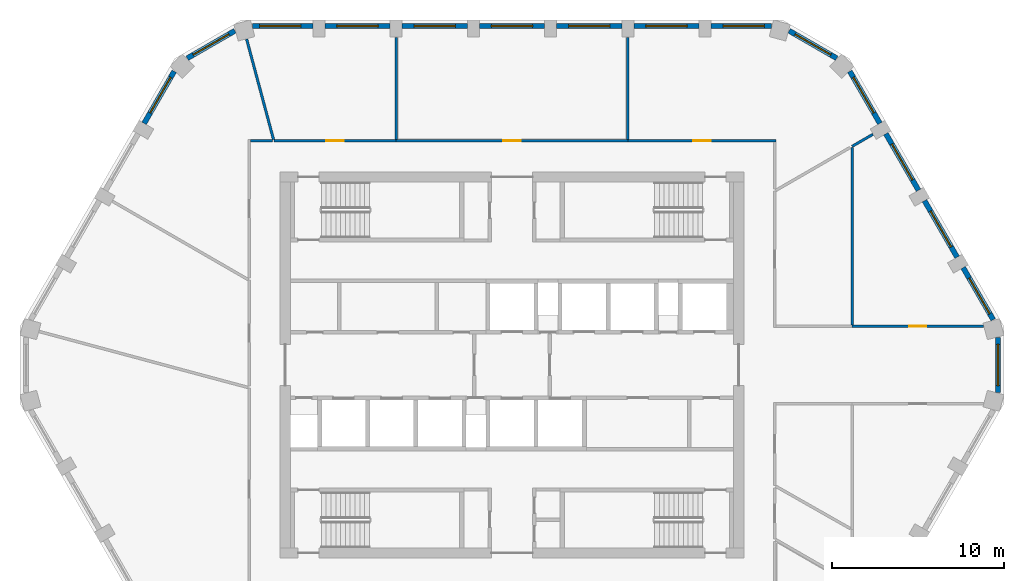
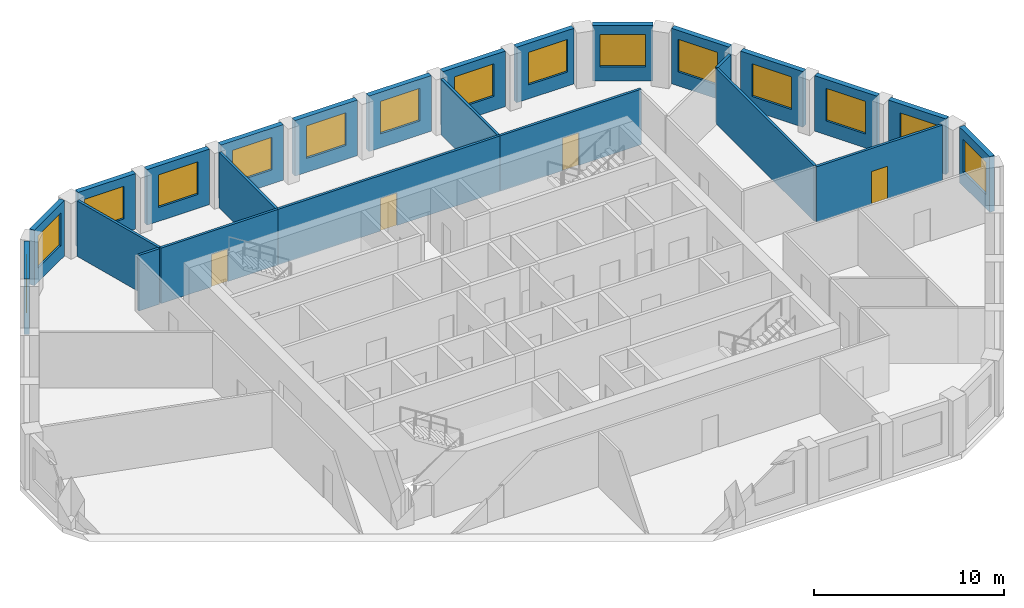
# One storey, part 6 of 10: 25 walls, 15 windows, 4 doors, 19 openings.
"""IFC4 building model written with IfcOpenShell, lengths in metres."""

from ifc_helpers import new_model, si_unit, direction, frame, frame_2d, origin, place, context, subcontext, project, spatial, rectangle, extrude, material, layer, layer_set, type_object, element, fill, save


model = new_model("IFC4")

# Units and contexts
model_context = context("Model", 3, precision=1e-05, world=origin(), true_north=direction((0.0, 1.0)))
body_context = subcontext(model_context, "Body", "Model", "MODEL_VIEW")
ifc_project = project(units=[si_unit("LENGTHUNIT", "METRE"), si_unit("AREAUNIT", "SQUARE_METRE"), si_unit("VOLUMEUNIT", "CUBIC_METRE"), si_unit("PLANEANGLEUNIT", "RADIAN"), si_unit("MASSUNIT", "GRAM", prefix="KILO")], contexts=[model_context])

# Site, building, storey
site_placement = place(None, origin())
site = spatial("IfcSite", under=ifc_project, at=site_placement, CompositionType="ELEMENT")
building_placement = place(site_placement, origin())
building = spatial("IfcBuilding", under=site, at=building_placement, Name="Dhurran Vertical Campus", CompositionType="ELEMENT")
storey_placement = place(building_placement, frame((0.0, 0.0, 254.699951171875)))
storey = spatial("IfcBuildingStorey", under=building, at=storey_placement, Name="L63", CompositionType="ELEMENT", Elevation=254.699951171875)

# Wall, opening, window
ifc_material_1 = material(Name="Precast concrete C50/60", Category="concrete")
ifc_layer_1 = layer(ifc_material_1, 0.300048828125)
ifc_layer_set_1 = layer_set([ifc_layer_1], Name="Precast concrete C50/60")
wall_type_1 = type_object("IfcWallType", Name="Precast spandrel wall 300", PredefinedType="SOLIDWALL", material=ifc_layer_set_1)
wall_1_placement = place(storey_placement, frame((28.297119140625, -1.59814453125, 0.0), z_axis=(0.0, 0.0, 1.0), x_axis=(0.0, 1.0, 0.0)))
wall_1 = element("IfcWall", 1, at=wall_1_placement, inside=storey, type_object=wall_type_1, Name="EW1 L63.12", PredefinedType="SOLIDWALL", context=body_context, shape_type="SweptSolid", body=[
    extrude(rectangle(XDim=3.1962890625, YDim=0.300048828125, at=frame_2d((1.59814453125, 0.0))), origin(), (0.0, 0.0, 1.0), 3.574951171875),
])
opening_1_placement = place(wall_1_placement, frame((0.398193359375, 0.0, 0.89990234375)))
opening_1 = element("IfcOpeningElement", 2, at=opening_1_placement, cuts=wall_1, Name="Opening WT1", PredefinedType="OPENING", context=body_context, shape_type="SweptSolid", body=[
    extrude(rectangle(XDim=2.39990234375, YDim=2.10009765625, at=frame_2d((1.199951171875, 1.050048828125))), frame((0.0, 0.159912109375, 0.0), z_axis=(0.0, -1.0, 0.0), x_axis=(1.0, 0.0, 0.0)), (0.0, 0.0, 1.0), 0.320068359375),
])
ifc_material_2 = material(Name="Aluminium frame with solar-control glass", Category="aluminium")
window_type = type_object("IfcWindowType", Name="Punched window 2400 x 2100", PartitioningType="SINGLE_PANEL", PredefinedType="WINDOW", material=ifc_material_2)
window_1_placement = place(opening_1_placement, origin())
window_1 = element("IfcWindow", 3, at=window_1_placement, inside=storey, type_object=window_type, Name="WT1 L63.12", OverallHeight=2.10009765625, OverallWidth=2.39990234375, PartitioningType="SINGLE_PANEL", PredefinedType="WINDOW", context=body_context, shape_type="SweptSolid", body=[
    extrude(rectangle(XDim=2.39990234375, YDim=2.10009765625, at=frame_2d((1.199951171875, 1.050048828125))), frame((0.0, 0.030029296875, 0.0), z_axis=(0.0, -1.0, 0.0), x_axis=(1.0, 0.0, 0.0)), (0.0, 0.0, 1.0), 0.06005859375),
])
fill(opening_1, window_1)

wall_2_placement = place(storey_placement, frame((28.01806640625, 2.6396484375, 0.0), z_axis=(0.0, 0.0, 1.0), x_axis=(-0.499990325971, 0.866030989016, 0.0)))
wall_2 = element("IfcWall", 4, at=wall_2_placement, inside=storey, type_object=wall_type_1, Name="EW1 L63.13", PredefinedType="SOLIDWALL", context=body_context, shape_type="SweptSolid", body=[
    extrude(rectangle(XDim=3.49755859375, YDim=0.300048828125, at=frame_2d((1.748779296875, 0.0))), origin(), (0.0, 0.0, 1.0), 3.574951171875),
])
opening_2_placement = place(wall_2_placement, frame((0.398193359375, 0.0, 0.89990234375)))
opening_2 = element("IfcOpeningElement", 5, at=opening_2_placement, cuts=wall_2, Name="Opening WT1", PredefinedType="OPENING", context=body_context, shape_type="SweptSolid", body=[
    extrude(rectangle(XDim=2.39990234375, YDim=2.10009765625, at=frame_2d((1.199951171875, 1.050048828125))), frame((0.0, 0.159912109375, 0.0), z_axis=(0.0, -1.0, 0.0), x_axis=(1.0, 0.0, 0.0)), (0.0, 0.0, 1.0), 0.320068359375),
])
window_2_placement = place(opening_2_placement, origin())
window_2 = element("IfcWindow", 6, at=window_2_placement, inside=storey, type_object=window_type, Name="WT1 L63.13", OverallHeight=2.10009765625, OverallWidth=2.39990234375, PartitioningType="SINGLE_PANEL", PredefinedType="WINDOW", context=body_context, shape_type="SweptSolid", body=[
    extrude(rectangle(XDim=2.39990234375, YDim=2.10009765625, at=frame_2d((1.199951171875, 1.050048828125))), frame((0.0, 0.030029296875, 0.0), z_axis=(0.0, -1.0, 0.0), x_axis=(1.0, 0.0, 0.0)), (0.0, 0.0, 1.0), 0.06005859375),
])
fill(opening_2, window_2)

wall_3_placement = place(storey_placement, frame((25.918701171875, 6.275634765625, 0.0), z_axis=(0.0, 0.0, 1.0), x_axis=(-0.499982058975, 0.866035761792, 0.0)))
wall_3 = element("IfcWall", 7, at=wall_3_placement, inside=storey, type_object=wall_type_1, Name="EW1 L63.14", PredefinedType="SOLIDWALL", context=body_context, shape_type="SweptSolid", body=[
    extrude(rectangle(XDim=3.799072265625, YDim=0.300048828125, at=frame_2d((1.8994140625, 0.0))), origin(), (0.0, 0.0, 1.0), 3.574951171875),
])
opening_3_placement = place(wall_3_placement, frame((0.699462890625, 0.0, 0.89990234375)))
opening_3 = element("IfcOpeningElement", 8, at=opening_3_placement, cuts=wall_3, Name="Opening WT1", PredefinedType="OPENING", context=body_context, shape_type="SweptSolid", body=[
    extrude(rectangle(XDim=2.39990234375, YDim=2.10009765625, at=frame_2d((1.199951171875, 1.050048828125))), frame((0.0, 0.159912109375, 0.0), z_axis=(0.0, -1.0, 0.0), x_axis=(1.0, 0.0, 0.0)), (0.0, 0.0, 1.0), 0.320068359375),
])
window_3_placement = place(opening_3_placement, origin())
window_3 = element("IfcWindow", 9, at=window_3_placement, inside=storey, type_object=window_type, Name="WT1 L63.14", OverallHeight=2.10009765625, OverallWidth=2.39990234375, PartitioningType="SINGLE_PANEL", PredefinedType="WINDOW", context=body_context, shape_type="SweptSolid", body=[
    extrude(rectangle(XDim=2.39990234375, YDim=2.10009765625, at=frame_2d((1.199951171875, 1.050048828125))), frame((0.0, 0.030029296875, 0.0), z_axis=(0.0, -1.0, 0.0), x_axis=(1.0, 0.0, 0.0)), (0.0, 0.0, 1.0), 0.06005859375),
])
fill(opening_3, window_3)

wall_4_placement = place(storey_placement, frame((23.668701171875, 10.1728515625, 0.0), z_axis=(0.0, 0.0, 1.0), x_axis=(-0.499982058975, 0.866035761792, 0.0)))
wall_4 = element("IfcWall", 10, at=wall_4_placement, inside=storey, type_object=wall_type_1, Name="EW1 L63.15", PredefinedType="SOLIDWALL", context=body_context, shape_type="SweptSolid", body=[
    extrude(rectangle(XDim=3.799072265625, YDim=0.300048828125, at=frame_2d((1.8994140625, 0.0))), origin(), (0.0, 0.0, 1.0), 3.574951171875),
])
opening_4_placement = place(wall_4_placement, frame((0.699462890625, 0.0, 0.89990234375)))
opening_4 = element("IfcOpeningElement", 11, at=opening_4_placement, cuts=wall_4, Name="Opening WT1", PredefinedType="OPENING", context=body_context, shape_type="SweptSolid", body=[
    extrude(rectangle(XDim=2.39990234375, YDim=2.10009765625, at=frame_2d((1.199951171875, 1.050048828125))), frame((0.0, 0.159912109375, 0.0), z_axis=(0.0, -1.0, 0.0), x_axis=(1.0, 0.0, 0.0)), (0.0, 0.0, 1.0), 0.320068359375),
])
window_4_placement = place(opening_4_placement, origin())
window_4 = element("IfcWindow", 12, at=window_4_placement, inside=storey, type_object=window_type, Name="WT1 L63.15", OverallHeight=2.10009765625, OverallWidth=2.39990234375, PartitioningType="SINGLE_PANEL", PredefinedType="WINDOW", context=body_context, shape_type="SweptSolid", body=[
    extrude(rectangle(XDim=2.39990234375, YDim=2.10009765625, at=frame_2d((1.199951171875, 1.050048828125))), frame((0.0, 0.030029296875, 0.0), z_axis=(0.0, -1.0, 0.0), x_axis=(1.0, 0.0, 0.0)), (0.0, 0.0, 1.0), 0.06005859375),
])
fill(opening_4, window_4)

wall_5_placement = place(storey_placement, frame((21.418701171875, 14.06982421875, 0.0), z_axis=(0.0, 0.0, 1.0), x_axis=(-0.499960102815, 0.866048437209, 0.0)))
wall_5 = element("IfcWall", 13, at=wall_5_placement, inside=storey, type_object=wall_type_1, Name="EW1 L63.16", PredefinedType="SOLIDWALL", context=body_context, shape_type="SweptSolid", body=[
    extrude(rectangle(XDim=3.497802734375, YDim=0.300048828125, at=frame_2d((1.7490234375, 0.0))), origin(), (0.0, 0.0, 1.0), 3.574951171875),
])
opening_5_placement = place(wall_5_placement, frame((0.699462890625, 0.0, 0.89990234375)))
opening_5 = element("IfcOpeningElement", 14, at=opening_5_placement, cuts=wall_5, Name="Opening WT1", PredefinedType="OPENING", context=body_context, shape_type="SweptSolid", body=[
    extrude(rectangle(XDim=2.39990234375, YDim=2.10009765625, at=frame_2d((1.199951171875, 1.050048828125))), frame((0.0, 0.159912109375, 0.0), z_axis=(0.0, -1.0, 0.0), x_axis=(1.0, 0.0, 0.0)), (0.0, 0.0, 1.0), 0.320068359375),
])
window_5_placement = place(opening_5_placement, origin())
window_5 = element("IfcWindow", 15, at=window_5_placement, inside=storey, type_object=window_type, Name="WT1 L63.16", OverallHeight=2.10009765625, OverallWidth=2.39990234375, PartitioningType="SINGLE_PANEL", PredefinedType="WINDOW", context=body_context, shape_type="SweptSolid", body=[
    extrude(rectangle(XDim=2.39990234375, YDim=2.10009765625, at=frame_2d((1.199951171875, 1.050048828125))), frame((0.0, 0.030029296875, 0.0), z_axis=(0.0, -1.0, 0.0), x_axis=(1.0, 0.0, 0.0)), (0.0, 0.0, 1.0), 0.06005859375),
])
fill(opening_5, window_5)

wall_6_placement = place(storey_placement, frame((18.90771484375, 17.861328125, 0.0), z_axis=(0.0, 0.0, 1.0), x_axis=(-0.866025316205, 0.500000151692, 0.0)))
wall_6 = element("IfcWall", 16, at=wall_6_placement, inside=storey, type_object=wall_type_1, Name="EW1 L63.17", PredefinedType="SOLIDWALL", context=body_context, shape_type="SweptSolid", body=[
    extrude(rectangle(XDim=3.1962890625, YDim=0.300048828125, at=frame_2d((1.59814453125, 0.0))), origin(), (0.0, 0.0, 1.0), 3.574951171875),
])
opening_6_placement = place(wall_6_placement, frame((0.398193359375, 0.0, 0.89990234375)))
opening_6 = element("IfcOpeningElement", 17, at=opening_6_placement, cuts=wall_6, Name="Opening WT1", PredefinedType="OPENING", context=body_context, shape_type="SweptSolid", body=[
    extrude(rectangle(XDim=2.39990234375, YDim=2.10009765625, at=frame_2d((1.199951171875, 1.050048828125))), frame((0.0, 0.159912109375, 0.0), z_axis=(0.0, -1.0, 0.0), x_axis=(1.0, 0.0, 0.0)), (0.0, 0.0, 1.0), 0.320068359375),
])
window_6_placement = place(opening_6_placement, origin())
window_6 = element("IfcWindow", 18, at=window_6_placement, inside=storey, type_object=window_type, Name="WT1 L63.17", OverallHeight=2.10009765625, OverallWidth=2.39990234375, PartitioningType="SINGLE_PANEL", PredefinedType="WINDOW", context=body_context, shape_type="SweptSolid", body=[
    extrude(rectangle(XDim=2.39990234375, YDim=2.10009765625, at=frame_2d((1.199951171875, 1.050048828125))), frame((0.0, 0.030029296875, 0.0), z_axis=(0.0, -1.0, 0.0), x_axis=(1.0, 0.0, 0.0)), (0.0, 0.0, 1.0), 0.06005859375),
])
fill(opening_6, window_6)

wall_7_placement = place(storey_placement, frame((15.09814453125, 19.738525390625, 0.0), z_axis=(0.0, 0.0, 1.0), x_axis=(-1.0, 0.0, 0.0)))
wall_7 = element("IfcWall", 19, at=wall_7_placement, inside=storey, type_object=wall_type_1, Name="EW1 L63.18", PredefinedType="SOLIDWALL", context=body_context, shape_type="SweptSolid", body=[
    extrude(rectangle(XDim=3.49755859375, YDim=0.300048828125, at=frame_2d((1.748779296875, 0.0))), origin(), (0.0, 0.0, 1.0), 3.574951171875),
])
opening_7_placement = place(wall_7_placement, frame((0.398193359375, 0.0, 0.89990234375)))
opening_7 = element("IfcOpeningElement", 20, at=opening_7_placement, cuts=wall_7, Name="Opening WT1", PredefinedType="OPENING", context=body_context, shape_type="SweptSolid", body=[
    extrude(rectangle(XDim=2.39990234375, YDim=2.10009765625, at=frame_2d((1.199951171875, 1.050048828125))), frame((0.0, 0.159912109375, 0.0), z_axis=(0.0, -1.0, 0.0), x_axis=(1.0, 0.0, 0.0)), (0.0, 0.0, 1.0), 0.320068359375),
])
window_7_placement = place(opening_7_placement, origin())
window_7 = element("IfcWindow", 21, at=window_7_placement, inside=storey, type_object=window_type, Name="WT1 L63.18", OverallHeight=2.10009765625, OverallWidth=2.39990234375, PartitioningType="SINGLE_PANEL", PredefinedType="WINDOW", context=body_context, shape_type="SweptSolid", body=[
    extrude(rectangle(XDim=2.39990234375, YDim=2.10009765625, at=frame_2d((1.199951171875, 1.050048828125))), frame((0.0, 0.030029296875, 0.0), z_axis=(0.0, -1.0, 0.0), x_axis=(1.0, 0.0, 0.0)), (0.0, 0.0, 1.0), 0.06005859375),
])
fill(opening_7, window_7)

wall_8_placement = place(storey_placement, frame((10.8994140625, 19.738525390625, 0.0), z_axis=(0.0, 0.0, 1.0), x_axis=(-1.0, 0.0, 0.0)))
wall_8 = element("IfcWall", 22, at=wall_8_placement, inside=storey, type_object=wall_type_1, Name="EW1 L63.19", PredefinedType="SOLIDWALL", context=body_context, shape_type="SweptSolid", body=[
    extrude(rectangle(XDim=3.798828125, YDim=0.300048828125, at=frame_2d((1.8994140625, 0.0))), origin(), (0.0, 0.0, 1.0), 3.574951171875),
])
opening_8_placement = place(wall_8_placement, frame((0.699462890625, 0.0, 0.89990234375)))
opening_8 = element("IfcOpeningElement", 23, at=opening_8_placement, cuts=wall_8, Name="Opening WT1", PredefinedType="OPENING", context=body_context, shape_type="SweptSolid", body=[
    extrude(rectangle(XDim=2.39990234375, YDim=2.10009765625, at=frame_2d((1.199951171875, 1.050048828125))), frame((0.0, 0.159912109375, 0.0), z_axis=(0.0, -1.0, 0.0), x_axis=(1.0, 0.0, 0.0)), (0.0, 0.0, 1.0), 0.320068359375),
])
window_8_placement = place(opening_8_placement, origin())
window_8 = element("IfcWindow", 24, at=window_8_placement, inside=storey, type_object=window_type, Name="WT1 L63.19", OverallHeight=2.10009765625, OverallWidth=2.39990234375, PartitioningType="SINGLE_PANEL", PredefinedType="WINDOW", context=body_context, shape_type="SweptSolid", body=[
    extrude(rectangle(XDim=2.39990234375, YDim=2.10009765625, at=frame_2d((1.199951171875, 1.050048828125))), frame((0.0, 0.030029296875, 0.0), z_axis=(0.0, -1.0, 0.0), x_axis=(1.0, 0.0, 0.0)), (0.0, 0.0, 1.0), 0.06005859375),
])
fill(opening_8, window_8)

wall_9_placement = place(storey_placement, frame((6.3994140625, 19.738525390625, 0.0), z_axis=(0.0, 0.0, 1.0), x_axis=(-1.0, 0.0, 0.0)))
wall_9 = element("IfcWall", 25, at=wall_9_placement, inside=storey, type_object=wall_type_1, Name="EW1 L63.20", PredefinedType="SOLIDWALL", context=body_context, shape_type="SweptSolid", body=[
    extrude(rectangle(XDim=3.798828125, YDim=0.300048828125, at=frame_2d((1.8994140625, 0.0))), origin(), (0.0, 0.0, 1.0), 3.574951171875),
])
opening_9_placement = place(wall_9_placement, frame((0.699462890625, 0.0, 0.89990234375)))
opening_9 = element("IfcOpeningElement", 26, at=opening_9_placement, cuts=wall_9, Name="Opening WT1", PredefinedType="OPENING", context=body_context, shape_type="SweptSolid", body=[
    extrude(rectangle(XDim=2.39990234375, YDim=2.10009765625, at=frame_2d((1.199951171875, 1.050048828125))), frame((0.0, 0.159912109375, 0.0), z_axis=(0.0, -1.0, 0.0), x_axis=(1.0, 0.0, 0.0)), (0.0, 0.0, 1.0), 0.320068359375),
])
window_9_placement = place(opening_9_placement, origin())
window_9 = element("IfcWindow", 27, at=window_9_placement, inside=storey, type_object=window_type, Name="WT1 L63.20", OverallHeight=2.10009765625, OverallWidth=2.39990234375, PartitioningType="SINGLE_PANEL", PredefinedType="WINDOW", context=body_context, shape_type="SweptSolid", body=[
    extrude(rectangle(XDim=2.39990234375, YDim=2.10009765625, at=frame_2d((1.199951171875, 1.050048828125))), frame((0.0, 0.030029296875, 0.0), z_axis=(0.0, -1.0, 0.0), x_axis=(1.0, 0.0, 0.0)), (0.0, 0.0, 1.0), 0.06005859375),
])
fill(opening_9, window_9)

wall_10_placement = place(storey_placement, frame((1.8994140625, 19.738525390625, 0.0), z_axis=(0.0, 0.0, 1.0), x_axis=(-1.0, 0.0, 0.0)))
wall_10 = element("IfcWall", 28, at=wall_10_placement, inside=storey, type_object=wall_type_1, Name="EW1 L63.21", PredefinedType="SOLIDWALL", context=body_context, shape_type="SweptSolid", body=[
    extrude(rectangle(XDim=3.798828125, YDim=0.300048828125, at=frame_2d((1.8994140625, 0.0))), origin(), (0.0, 0.0, 1.0), 3.574951171875),
])
opening_10_placement = place(wall_10_placement, frame((0.699462890625, 0.0, 0.89990234375)))
opening_10 = element("IfcOpeningElement", 29, at=opening_10_placement, cuts=wall_10, Name="Opening WT1", PredefinedType="OPENING", context=body_context, shape_type="SweptSolid", body=[
    extrude(rectangle(XDim=2.39990234375, YDim=2.10009765625, at=frame_2d((1.199951171875, 1.050048828125))), frame((0.0, 0.159912109375, 0.0), z_axis=(0.0, -1.0, 0.0), x_axis=(1.0, 0.0, 0.0)), (0.0, 0.0, 1.0), 0.320068359375),
])
window_10_placement = place(opening_10_placement, origin())
window_10 = element("IfcWindow", 30, at=window_10_placement, inside=storey, type_object=window_type, Name="WT1 L63.21", OverallHeight=2.10009765625, OverallWidth=2.39990234375, PartitioningType="SINGLE_PANEL", PredefinedType="WINDOW", context=body_context, shape_type="SweptSolid", body=[
    extrude(rectangle(XDim=2.39990234375, YDim=2.10009765625, at=frame_2d((1.199951171875, 1.050048828125))), frame((0.0, 0.030029296875, 0.0), z_axis=(0.0, -1.0, 0.0), x_axis=(1.0, 0.0, 0.0)), (0.0, 0.0, 1.0), 0.06005859375),
])
fill(opening_10, window_10)

wall_11_placement = place(storey_placement, frame((-2.6005859375, 19.738525390625, 0.0), z_axis=(0.0, 0.0, 1.0), x_axis=(-1.0, 0.0, 0.0)))
wall_11 = element("IfcWall", 31, at=wall_11_placement, inside=storey, type_object=wall_type_1, Name="EW1 L63.22", PredefinedType="SOLIDWALL", context=body_context, shape_type="SweptSolid", body=[
    extrude(rectangle(XDim=3.798828125, YDim=0.300048828125, at=frame_2d((1.8994140625, 0.0))), origin(), (0.0, 0.0, 1.0), 3.574951171875),
])
opening_11_placement = place(wall_11_placement, frame((0.699462890625, 0.0, 0.89990234375)))
opening_11 = element("IfcOpeningElement", 32, at=opening_11_placement, cuts=wall_11, Name="Opening WT1", PredefinedType="OPENING", context=body_context, shape_type="SweptSolid", body=[
    extrude(rectangle(XDim=2.39990234375, YDim=2.10009765625, at=frame_2d((1.199951171875, 1.050048828125))), frame((0.0, 0.159912109375, 0.0), z_axis=(0.0, -1.0, 0.0), x_axis=(1.0, 0.0, 0.0)), (0.0, 0.0, 1.0), 0.320068359375),
])
window_11_placement = place(opening_11_placement, origin())
window_11 = element("IfcWindow", 33, at=window_11_placement, inside=storey, type_object=window_type, Name="WT1 L63.22", OverallHeight=2.10009765625, OverallWidth=2.39990234375, PartitioningType="SINGLE_PANEL", PredefinedType="WINDOW", context=body_context, shape_type="SweptSolid", body=[
    extrude(rectangle(XDim=2.39990234375, YDim=2.10009765625, at=frame_2d((1.199951171875, 1.050048828125))), frame((0.0, 0.030029296875, 0.0), z_axis=(0.0, -1.0, 0.0), x_axis=(1.0, 0.0, 0.0)), (0.0, 0.0, 1.0), 0.06005859375),
])
fill(opening_11, window_11)

wall_12_placement = place(storey_placement, frame((-7.1005859375, 19.738525390625, 0.0), z_axis=(0.0, 0.0, 1.0), x_axis=(-1.0, 0.0, 0.0)))
wall_12 = element("IfcWall", 34, at=wall_12_placement, inside=storey, type_object=wall_type_1, Name="EW1 L63.23", PredefinedType="SOLIDWALL", context=body_context, shape_type="SweptSolid", body=[
    extrude(rectangle(XDim=3.798828125, YDim=0.300048828125, at=frame_2d((1.8994140625, 0.0))), origin(), (0.0, 0.0, 1.0), 3.574951171875),
])
opening_12_placement = place(wall_12_placement, frame((0.699462890625, 0.0, 0.89990234375)))
opening_12 = element("IfcOpeningElement", 35, at=opening_12_placement, cuts=wall_12, Name="Opening WT1", PredefinedType="OPENING", context=body_context, shape_type="SweptSolid", body=[
    extrude(rectangle(XDim=2.39990234375, YDim=2.10009765625, at=frame_2d((1.199951171875, 1.050048828125))), frame((0.0, 0.159912109375, 0.0), z_axis=(0.0, -1.0, 0.0), x_axis=(1.0, 0.0, 0.0)), (0.0, 0.0, 1.0), 0.320068359375),
])
window_12_placement = place(opening_12_placement, origin())
window_12 = element("IfcWindow", 36, at=window_12_placement, inside=storey, type_object=window_type, Name="WT1 L63.23", OverallHeight=2.10009765625, OverallWidth=2.39990234375, PartitioningType="SINGLE_PANEL", PredefinedType="WINDOW", context=body_context, shape_type="SweptSolid", body=[
    extrude(rectangle(XDim=2.39990234375, YDim=2.10009765625, at=frame_2d((1.199951171875, 1.050048828125))), frame((0.0, 0.030029296875, 0.0), z_axis=(0.0, -1.0, 0.0), x_axis=(1.0, 0.0, 0.0)), (0.0, 0.0, 1.0), 0.06005859375),
])
fill(opening_12, window_12)

wall_13_placement = place(storey_placement, frame((-11.6005859375, 19.738525390625, 0.0), z_axis=(0.0, 0.0, 1.0), x_axis=(-1.0, 0.0, 0.0)))
wall_13 = element("IfcWall", 37, at=wall_13_placement, inside=storey, type_object=wall_type_1, Name="EW1 L63.24", PredefinedType="SOLIDWALL", context=body_context, shape_type="SweptSolid", body=[
    extrude(rectangle(XDim=3.49755859375, YDim=0.300048828125, at=frame_2d((1.748779296875, 0.0))), origin(), (0.0, 0.0, 1.0), 3.574951171875),
])
opening_13_placement = place(wall_13_placement, frame((0.699462890625, 0.0, 0.89990234375)))
opening_13 = element("IfcOpeningElement", 38, at=opening_13_placement, cuts=wall_13, Name="Opening WT1", PredefinedType="OPENING", context=body_context, shape_type="SweptSolid", body=[
    extrude(rectangle(XDim=2.39990234375, YDim=2.10009765625, at=frame_2d((1.199951171875, 1.050048828125))), frame((0.0, 0.159912109375, 0.0), z_axis=(0.0, -1.0, 0.0), x_axis=(1.0, 0.0, 0.0)), (0.0, 0.0, 1.0), 0.320068359375),
])
window_13_placement = place(opening_13_placement, origin())
window_13 = element("IfcWindow", 39, at=window_13_placement, inside=storey, type_object=window_type, Name="WT1 L63.24", OverallHeight=2.10009765625, OverallWidth=2.39990234375, PartitioningType="SINGLE_PANEL", PredefinedType="WINDOW", context=body_context, shape_type="SweptSolid", body=[
    extrude(rectangle(XDim=2.39990234375, YDim=2.10009765625, at=frame_2d((1.199951171875, 1.050048828125))), frame((0.0, 0.030029296875, 0.0), z_axis=(0.0, -1.0, 0.0), x_axis=(1.0, 0.0, 0.0)), (0.0, 0.0, 1.0), 0.06005859375),
])
fill(opening_13, window_13)

wall_14_placement = place(storey_placement, frame((-16.1396484375, 19.45947265625, 0.0), z_axis=(0.0, 0.0, 1.0), x_axis=(-0.866025316205, -0.500000151692, 0.0)))
wall_14 = element("IfcWall", 40, at=wall_14_placement, inside=storey, type_object=wall_type_1, Name="EW1 L63.25", PredefinedType="SOLIDWALL", context=body_context, shape_type="SweptSolid", body=[
    extrude(rectangle(XDim=3.1962890625, YDim=0.300048828125, at=frame_2d((1.59814453125, 0.0))), origin(), (0.0, 0.0, 1.0), 3.574951171875),
])
opening_14_placement = place(wall_14_placement, frame((0.398193359375, 0.0, 0.89990234375)))
opening_14 = element("IfcOpeningElement", 41, at=opening_14_placement, cuts=wall_14, Name="Opening WT1", PredefinedType="OPENING", context=body_context, shape_type="SweptSolid", body=[
    extrude(rectangle(XDim=2.39990234375, YDim=2.10009765625, at=frame_2d((1.199951171875, 1.050048828125))), frame((0.0, 0.159912109375, 0.0), z_axis=(0.0, -1.0, 0.0), x_axis=(1.0, 0.0, 0.0)), (0.0, 0.0, 1.0), 0.320068359375),
])
window_14_placement = place(opening_14_placement, origin())
window_14 = element("IfcWindow", 42, at=window_14_placement, inside=storey, type_object=window_type, Name="WT1 L63.25", OverallHeight=2.10009765625, OverallWidth=2.39990234375, PartitioningType="SINGLE_PANEL", PredefinedType="WINDOW", context=body_context, shape_type="SweptSolid", body=[
    extrude(rectangle(XDim=2.39990234375, YDim=2.10009765625, at=frame_2d((1.199951171875, 1.050048828125))), frame((0.0, 0.030029296875, 0.0), z_axis=(0.0, -1.0, 0.0), x_axis=(1.0, 0.0, 0.0)), (0.0, 0.0, 1.0), 0.06005859375),
])
fill(opening_14, window_14)

wall_15_placement = place(storey_placement, frame((-19.669921875, 17.09912109375, 0.0), z_axis=(0.0, 0.0, 1.0), x_axis=(-0.499960102815, -0.866048437209, 0.0)))
wall_15 = element("IfcWall", 43, at=wall_15_placement, inside=storey, type_object=wall_type_1, Name="EW1 L63.26", PredefinedType="SOLIDWALL", context=body_context, shape_type="SweptSolid", body=[
    extrude(rectangle(XDim=3.497802734375, YDim=0.300048828125, at=frame_2d((1.7490234375, 0.0))), origin(), (0.0, 0.0, 1.0), 3.574951171875),
])
opening_15_placement = place(wall_15_placement, frame((0.398193359375, 0.0, 0.89990234375)))
opening_15 = element("IfcOpeningElement", 44, at=opening_15_placement, cuts=wall_15, Name="Opening WT1", PredefinedType="OPENING", context=body_context, shape_type="SweptSolid", body=[
    extrude(rectangle(XDim=2.39990234375, YDim=2.10009765625, at=frame_2d((1.199951171875, 1.050048828125))), frame((0.0, 0.159912109375, 0.0), z_axis=(0.0, -1.0, 0.0), x_axis=(1.0, 0.0, 0.0)), (0.0, 0.0, 1.0), 0.320068359375),
])
window_15_placement = place(opening_15_placement, origin())
window_15 = element("IfcWindow", 45, at=window_15_placement, inside=storey, type_object=window_type, Name="WT1 L63.26", OverallHeight=2.10009765625, OverallWidth=2.39990234375, PartitioningType="SINGLE_PANEL", PredefinedType="WINDOW", context=body_context, shape_type="SweptSolid", body=[
    extrude(rectangle(XDim=2.39990234375, YDim=2.10009765625, at=frame_2d((1.199951171875, 1.050048828125))), frame((0.0, 0.030029296875, 0.0), z_axis=(0.0, -1.0, 0.0), x_axis=(1.0, 0.0, 0.0)), (0.0, 0.0, 1.0), 0.06005859375),
])
fill(opening_15, window_15)

# Wall
ifc_material_3 = material(Name="Gypsum board corridor wall on steel studs", Category="steel")
ifc_layer_2 = layer(ifc_material_3, 0.14990234375)
ifc_layer_set_2 = layer_set([ifc_layer_2], Name="Gypsum board corridor wall on steel studs")
wall_type_2 = type_object("IfcWallType", Name="fl-CW-150 corridor wall", PredefinedType="PARTITIONING", material=ifc_layer_set_2)
wall_16_placement = place(storey_placement, frame((-13.958984375, 13.050048828125, 0.0), z_axis=(0.0, 0.0, 1.0), x_axis=(-1.0, 0.0, 0.0)))
element("IfcWall", 46, at=wall_16_placement, inside=storey, type_object=wall_type_2, Name="Partition 63-09", PredefinedType="PARTITIONING", context=body_context, shape_type="SweptSolid", body=[
    extrude(rectangle(XDim=1.26611328125, YDim=0.14990234375, at=frame_2d((0.633056640625, 0.0))), origin(), (0.0, 0.0, 1.0), 3.574951171875),
])

# Wall, opening, door
wall_17_placement = place(storey_placement, frame((-6.75, 13.050048828125, 0.0), z_axis=(0.0, 0.0, 1.0), x_axis=(-1.0, 0.0, 0.0)))
wall_17 = element("IfcWall", 47, at=wall_17_placement, inside=storey, type_object=wall_type_2, Name="Partition 63-11", PredefinedType="PARTITIONING", context=body_context, shape_type="SweptSolid", body=[
    extrude(rectangle(XDim=7.114013671875, YDim=0.14990234375, at=frame_2d((3.55712890625, 0.0))), origin(), (0.0, 0.0, 1.0), 3.574951171875),
])
opening_16_placement = place(wall_17_placement, frame((3.056884765625, 0.0, 0.0)))
opening_16 = element("IfcOpeningElement", 48, at=opening_16_placement, cuts=wall_17, Name="Opening T18.04", PredefinedType="OPENING", context=body_context, shape_type="SweptSolid", body=[
    extrude(rectangle(XDim=1.0, YDim=2.10009765625, at=frame_2d((0.5, 1.050048828125))), frame((0.0, 0.0849609375, 0.0), z_axis=(0.0, -1.0, 0.0), x_axis=(1.0, 0.0, 0.0)), (0.0, 0.0, 1.0), 0.169921875),
])
ifc_material_4 = material(Name="Solid-core timber door set, fire-rated", Category="wood")
door_type = type_object("IfcDoorType", Name="fl-D-1000x2100", OperationType="SINGLE_SWING_LEFT", PredefinedType="DOOR", material=ifc_material_4)
door_1_placement = place(opening_16_placement, origin())
door_1 = element("IfcDoor", 49, at=door_1_placement, inside=storey, type_object=door_type, Name="Door 63.04", OperationType="SINGLE_SWING_RIGHT", OverallHeight=2.10009765625, OverallWidth=1.0, PredefinedType="DOOR", context=body_context, shape_type="SweptSolid", body=[
    extrude(rectangle(XDim=1.0, YDim=2.10009765625, at=frame_2d((0.5, 1.050048828125))), frame((0.0, 0.02490234375, 0.0), z_axis=(0.0, -1.0, 0.0), x_axis=(1.0, 0.0, 0.0)), (0.0, 0.0, 1.0), 0.050048828125),
])
fill(opening_16, door_1)

wall_18_placement = place(storey_placement, frame((6.75, 13.050048828125, 0.0), z_axis=(0.0, 0.0, 1.0), x_axis=(-1.0, 0.0, 0.0)))
wall_18 = element("IfcWall", 50, at=wall_18_placement, inside=storey, type_object=wall_type_2, Name="Partition 63-13", PredefinedType="PARTITIONING", context=body_context, shape_type="SweptSolid", body=[
    extrude(rectangle(XDim=13.5, YDim=0.14990234375, at=frame_2d((6.75, 0.0))), origin(), (0.0, 0.0, 1.0), 3.574951171875),
])
opening_17_placement = place(wall_18_placement, frame((6.25, 0.0, 0.0)))
opening_17 = element("IfcOpeningElement", 51, at=opening_17_placement, cuts=wall_18, Name="Opening T18.06", PredefinedType="OPENING", context=body_context, shape_type="SweptSolid", body=[
    extrude(rectangle(XDim=1.0, YDim=2.10009765625, at=frame_2d((0.5, 1.050048828125))), frame((0.0, 0.0849609375, 0.0), z_axis=(0.0, -1.0, 0.0), x_axis=(1.0, 0.0, 0.0)), (0.0, 0.0, 1.0), 0.169921875),
])
door_2_placement = place(opening_17_placement, origin())
door_2 = element("IfcDoor", 52, at=door_2_placement, inside=storey, type_object=door_type, Name="Door 63.06", OperationType="SINGLE_SWING_LEFT", OverallHeight=2.10009765625, OverallWidth=1.0, PredefinedType="DOOR", context=body_context, shape_type="SweptSolid", body=[
    extrude(rectangle(XDim=1.0, YDim=2.10009765625, at=frame_2d((0.5, 1.050048828125))), frame((0.0, 0.02490234375, 0.0), z_axis=(0.0, -1.0, 0.0), x_axis=(1.0, 0.0, 0.0)), (0.0, 0.0, 1.0), 0.050048828125),
])
fill(opening_17, door_2)

wall_19_placement = place(storey_placement, frame((15.375, 13.050048828125, 0.0), z_axis=(0.0, 0.0, 1.0), x_axis=(-1.0, 0.0, 0.0)))
wall_19 = element("IfcWall", 53, at=wall_19_placement, inside=storey, type_object=wall_type_2, Name="Partition 63-17", PredefinedType="PARTITIONING", context=body_context, shape_type="SweptSolid", body=[
    extrude(rectangle(XDim=8.625, YDim=0.14990234375, at=frame_2d((4.3125, 0.0))), origin(), (0.0, 0.0, 1.0), 3.574951171875),
])
opening_18_placement = place(wall_19_placement, frame((3.8125, 0.0, 0.0)))
opening_18 = element("IfcOpeningElement", 54, at=opening_18_placement, cuts=wall_19, Name="Opening T18.08", PredefinedType="OPENING", context=body_context, shape_type="SweptSolid", body=[
    extrude(rectangle(XDim=1.0, YDim=2.10009765625, at=frame_2d((0.5, 1.050048828125))), frame((0.0, 0.0849609375, 0.0), z_axis=(0.0, -1.0, 0.0), x_axis=(1.0, 0.0, 0.0)), (0.0, 0.0, 1.0), 0.169921875),
])
door_3_placement = place(opening_18_placement, origin())
door_3 = element("IfcDoor", 55, at=door_3_placement, inside=storey, type_object=door_type, Name="Door 63.08", OperationType="SINGLE_SWING_LEFT", OverallHeight=2.10009765625, OverallWidth=1.0, PredefinedType="DOOR", context=body_context, shape_type="SweptSolid", body=[
    extrude(rectangle(XDim=1.0, YDim=2.10009765625, at=frame_2d((0.5, 1.050048828125))), frame((0.0, 0.02490234375, 0.0), z_axis=(0.0, -1.0, 0.0), x_axis=(1.0, 0.0, 0.0)), (0.0, 0.0, 1.0), 0.050048828125),
])
fill(opening_18, door_3)

wall_20_placement = place(storey_placement, frame((19.800048828125, 2.25, 0.0), z_axis=(0.0, 0.0, 1.0), x_axis=(1.0, 0.0, 0.0)))
wall_20 = element("IfcWall", 56, at=wall_20_placement, inside=storey, type_object=wall_type_2, Name="Partition 63-35", PredefinedType="PARTITIONING", context=body_context, shape_type="SweptSolid", body=[
    extrude(rectangle(XDim=7.65234375, YDim=0.14990234375, at=frame_2d((3.826171875, 0.0))), origin(), (0.0, 0.0, 1.0), 3.574951171875),
])
opening_19_placement = place(wall_20_placement, frame((3.326171875, 0.0, 0.0)))
opening_19 = element("IfcOpeningElement", 57, at=opening_19_placement, cuts=wall_20, Name="Opening T18.14", PredefinedType="OPENING", context=body_context, shape_type="SweptSolid", body=[
    extrude(rectangle(XDim=1.0, YDim=2.10009765625, at=frame_2d((0.5, 1.050048828125))), frame((0.0, 0.0849609375, 0.0), z_axis=(0.0, -1.0, 0.0), x_axis=(1.0, 0.0, 0.0)), (0.0, 0.0, 1.0), 0.169921875),
])
door_4_placement = place(opening_19_placement, origin())
door_4 = element("IfcDoor", 58, at=door_4_placement, inside=storey, type_object=door_type, Name="Door 63.14", OperationType="SINGLE_SWING_RIGHT", OverallHeight=2.10009765625, OverallWidth=1.0, PredefinedType="DOOR", context=body_context, shape_type="SweptSolid", body=[
    extrude(rectangle(XDim=1.0, YDim=2.10009765625, at=frame_2d((0.5, 1.050048828125))), frame((0.0, 0.02490234375, 0.0), z_axis=(0.0, -1.0, 0.0), x_axis=(1.0, 0.0, 0.0)), (0.0, 0.0, 1.0), 0.050048828125),
])
fill(opening_19, door_4)

# Walls
ifc_material_5 = material(Name="Gypsum board partition on steel studs", Category="steel")
ifc_layer_3 = layer(ifc_material_5, 0.14990234375)
ifc_layer_set_3 = layer_set([ifc_layer_3], Name="Gypsum board partition on steel studs")
wall_type_3 = type_object("IfcWallType", Name="fl-PW-150 fixed partition", PredefinedType="PARTITIONING", material=ifc_layer_set_3)
wall_21_placement = place(storey_placement, frame((-15.45166015625, 18.9736328125, 0.0), z_axis=(0.0, 0.0, 1.0), x_axis=(0.258896568031, -0.965905050749, 0.0)))
element("IfcWall", 59, at=wall_21_placement, inside=storey, type_object=wall_type_3, Name="Partition 63-04", PredefinedType="PARTITIONING", context=body_context, shape_type="SweptSolid", body=[
    extrude(rectangle(XDim=6.057861328125, YDim=0.14990234375, at=frame_2d((3.02880859375, 0.0))), origin(), (0.0, 0.0, 1.0), 3.574951171875),
])
for number, where, z_axis, x_axis, name in (
    (60, (-6.75, 19.068603515625, 0.0), (0.0, 0.0, 1.0), (0.0, -1.0, 0.0), "Partition 63-12"),
    (61, (6.75, 19.068603515625, 0.0), (0.0, 0.0, 1.0), (0.0, -1.0, 0.0), "Partition 63-16"),
):
    element("IfcWall", number, at=place(storey_placement, frame(where, z_axis=z_axis, x_axis=x_axis)), inside=storey, type_object=wall_type_3, Name=name, PredefinedType="PARTITIONING", context=body_context, shape_type="SweptSolid", body=[
        extrude(rectangle(XDim=5.943603515625, YDim=0.14990234375, at=frame_2d((2.9716796875, 0.0))), origin(), (0.0, 0.0, 1.0), 3.574951171875),
    ])
wall_22_placement = place(storey_placement, frame((19.800048828125, 12.655029296875, 0.0), z_axis=(0.0, 0.0, 1.0), x_axis=(0.0, -1.0, 0.0)))
element("IfcWall", 62, at=wall_22_placement, inside=storey, type_object=wall_type_3, Name="Partition 63-34", PredefinedType="PARTITIONING", context=body_context, shape_type="SweptSolid", body=[
    extrude(rectangle(XDim=10.330078125, YDim=0.14990234375, at=frame_2d((5.1650390625, 0.0))), origin(), (0.0, 0.0, 1.0), 3.574951171875),
])
wall_23_placement = place(storey_placement, frame((21.013916015625, 13.43115234375, 0.0), z_axis=(0.0, 0.0, 1.0), x_axis=(-0.865918715181, -0.500184744569, 0.0)))
element("IfcWall", 63, at=wall_23_placement, inside=storey, type_object=wall_type_3, Name="Partition 63-36", PredefinedType="PARTITIONING", context=body_context, shape_type="SweptSolid", body=[
    extrude(rectangle(XDim=1.40185546875, YDim=0.14990234375, at=frame_2d((0.700927734375, 0.0))), origin(), (0.0, 0.0, 1.0), 3.574951171875),
])

save(model, "model.ifc")
